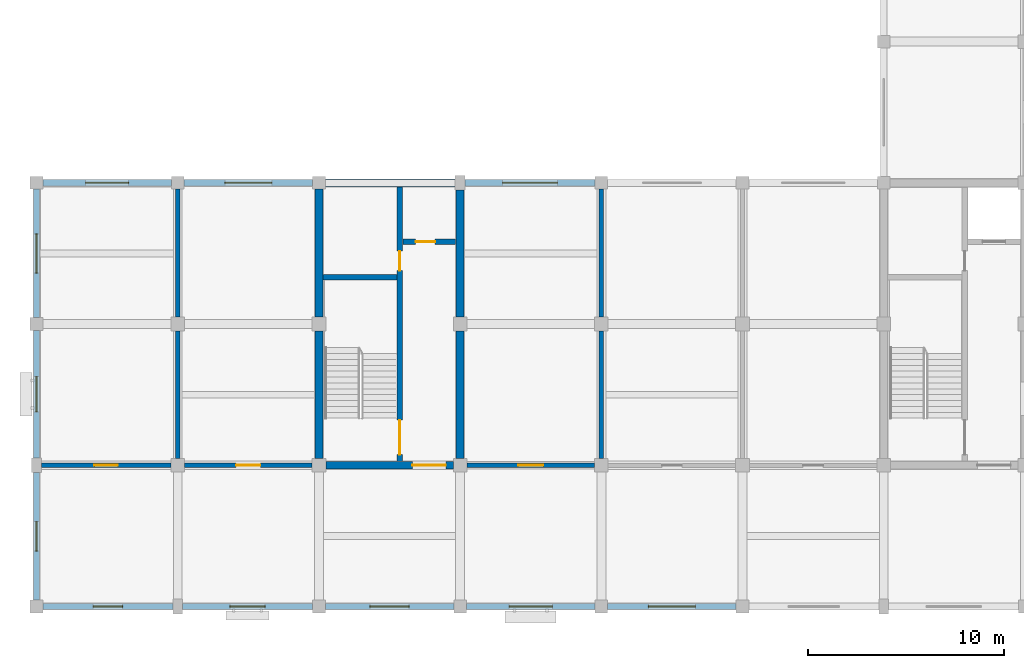
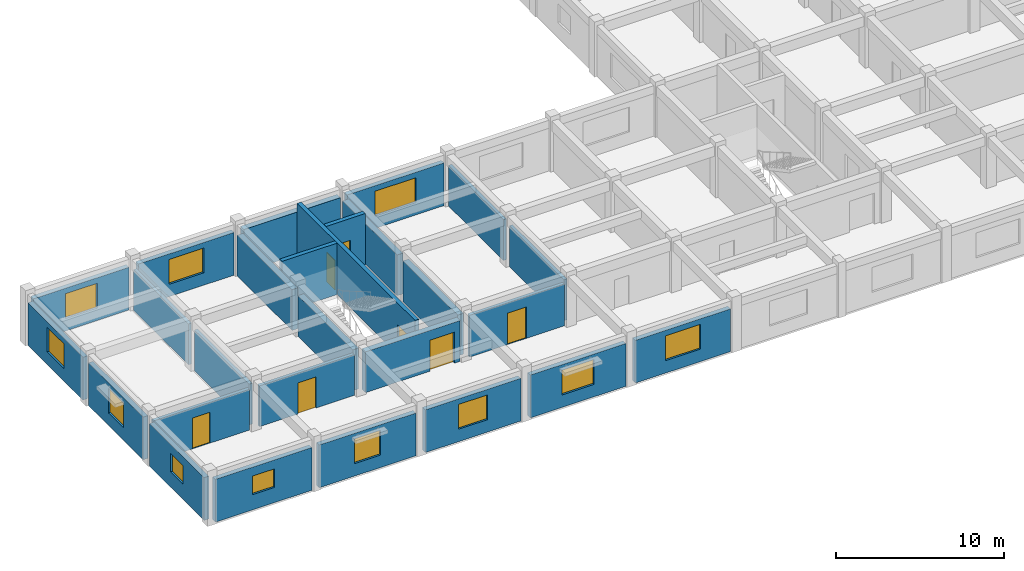
# One storey, part 4 of 11: 27 walls, 11 windows, 7 doors, 18 openings.
"""IFC4 building model written with IfcOpenShell, lengths in metres."""

from ifc_helpers import new_model, si_unit, direction, frame, frame_2d, origin, place, context, subcontext, project, spatial, rectangle, extrude, material, layer, layer_set, type_object, element, fill, save


model = new_model("IFC4")

# Units and contexts
model_context = context("Model", 3, precision=1e-05, world=origin(), true_north=direction((0.0, 1.0)))
body_context = subcontext(model_context, "Body", "Model", "MODEL_VIEW")
ifc_project = project(units=[si_unit("LENGTHUNIT", "METRE"), si_unit("AREAUNIT", "SQUARE_METRE"), si_unit("VOLUMEUNIT", "CUBIC_METRE"), si_unit("PLANEANGLEUNIT", "RADIAN"), si_unit("MASSUNIT", "GRAM", prefix="KILO")], contexts=[model_context])

# Site, building, storey
site_placement = place(None, origin())
site = spatial("IfcSite", under=ifc_project, at=site_placement, CompositionType="ELEMENT")
building_placement = place(site_placement, origin())
building = spatial("IfcBuilding", under=site, at=building_placement, Name="Cendaluz Park School", CompositionType="ELEMENT")
storey_placement = place(building_placement, frame((0.0, 0.0, 26.60009765625)))
storey = spatial("IfcBuildingStorey", under=building, at=storey_placement, Name="L06", CompositionType="ELEMENT", Elevation=26.60009765625)

# Wall, opening, window
ifc_material_1 = material(Name="Concrete C40/50 precast", Category="concrete")
ifc_layer_1 = layer(ifc_material_1, 0.320068359375)
ifc_layer_set_1 = layer_set([ifc_layer_1], Name="Concrete C40/50 precast")
wall_type_1 = type_object("IfcWallType", Name="W-EX32", PredefinedType="SOLIDWALL", material=ifc_layer_set_1)
wall_1_placement = place(storey_placement, frame((21.925048828125, 7.199951171875, 0.0), z_axis=(0.0, 0.0, 1.0), x_axis=(1.0, 0.0, 0.0)))
wall_1 = element("IfcWall", 1, at=wall_1_placement, inside=storey, type_object=wall_type_1, Name="WL-FG-AA0", PredefinedType="SOLIDWALL", context=body_context, shape_type="SweptSolid", body=[
    extrude(rectangle(XDim=6.625, YDim=0.320068359375, at=frame_2d((3.3125, 0.0))), origin(), (0.0, 0.0, 1.0), 3.099853515625),
])
opening_1_placement = place(wall_1_placement, frame((2.5625, 0.0, 1.10009765625)))
opening_1 = element("IfcOpeningElement", 2, at=opening_1_placement, cuts=wall_1, Name="Opening WN-20", PredefinedType="OPENING", context=body_context, shape_type="SweptSolid", body=[
    extrude(rectangle(XDim=1.5, YDim=1.35009765625, at=frame_2d((0.75, 0.675048828125))), frame((0.0, 0.172119140625, 0.0), z_axis=(0.0, -1.0, 0.0), x_axis=(1.0, 0.0, 0.0)), (0.0, 0.0, 1.0), 0.343994140625),
])
ifc_material_2 = material(Name="Tempered Low-E Double Glazing", Category="glass")
window_type_1 = type_object("IfcWindowType", Name="WN-20", PartitioningType="SINGLE_PANEL", PredefinedType="WINDOW", material=ifc_material_2)
window_1_placement = place(opening_1_placement, origin())
window_1 = element("IfcWindow", 3, at=window_1_placement, inside=storey, type_object=window_type_1, Name="WN-L06-001", OverallHeight=1.35009765625, OverallWidth=1.5, PartitioningType="SINGLE_PANEL", PredefinedType="WINDOW", context=body_context, shape_type="SweptSolid", body=[
    extrude(rectangle(XDim=1.5, YDim=1.35009765625, at=frame_2d((0.75, 0.675048828125))), frame((0.0, 0.030029296875, 0.0), z_axis=(0.0, -1.0, 0.0), x_axis=(1.0, 0.0, 0.0)), (0.0, 0.0, 1.0), 0.06005859375),
])
fill(opening_1, window_1)

wall_2_placement = place(storey_placement, frame((21.60009765625, 7.52490234375, 0.0), z_axis=(0.0, 0.0, 1.0), x_axis=(0.0, 1.0, 0.0)))
wall_2 = element("IfcWall", 4, at=wall_2_placement, inside=storey, type_object=wall_type_1, Name="WL-FG-AA1", PredefinedType="SOLIDWALL", context=body_context, shape_type="SweptSolid", body=[
    extrude(rectangle(XDim=6.5, YDim=0.320068359375, at=frame_2d((3.25, 0.0))), origin(), (0.0, 0.0, 1.0), 3.099853515625),
])
opening_2_placement = place(wall_2_placement, frame((2.5, 0.0, 1.10009765625)))
opening_2 = element("IfcOpeningElement", 5, at=opening_2_placement, cuts=wall_2, Name="Opening WN-20", PredefinedType="OPENING", context=body_context, shape_type="SweptSolid", body=[
    extrude(rectangle(XDim=1.5, YDim=1.35009765625, at=frame_2d((0.75, 0.675048828125))), frame((0.0, 0.172119140625, 0.0), z_axis=(0.0, -1.0, 0.0), x_axis=(1.0, 0.0, 0.0)), (0.0, 0.0, 1.0), 0.343994140625),
])
window_2_placement = place(opening_2_placement, origin())
window_2 = element("IfcWindow", 6, at=window_2_placement, inside=storey, type_object=window_type_1, Name="WN-L06-002", OverallHeight=1.35009765625, OverallWidth=1.5, PartitioningType="SINGLE_PANEL", PredefinedType="WINDOW", context=body_context, shape_type="SweptSolid", body=[
    extrude(rectangle(XDim=1.5, YDim=1.35009765625, at=frame_2d((0.75, 0.675048828125))), frame((0.0, 0.030029296875, 0.0), z_axis=(0.0, -1.0, 0.0), x_axis=(1.0, 0.0, 0.0)), (0.0, 0.0, 1.0), 0.06005859375),
])
fill(opening_2, window_2)

wall_3_placement = place(storey_placement, frame((21.60009765625, 14.77490234375, 0.0), z_axis=(0.0, 0.0, 1.0), x_axis=(0.0, 1.0, 0.0)))
wall_3 = element("IfcWall", 7, at=wall_3_placement, inside=storey, type_object=wall_type_1, Name="WL-FG-AA2", PredefinedType="SOLIDWALL", context=body_context, shape_type="SweptSolid", body=[
    extrude(rectangle(XDim=6.5, YDim=0.320068359375, at=frame_2d((3.25, 0.0))), origin(), (0.0, 0.0, 1.0), 3.099853515625),
])
opening_3_placement = place(wall_3_placement, frame((2.35009765625, 0.0, 0.89990234375)))
opening_3 = element("IfcOpeningElement", 8, at=opening_3_placement, cuts=wall_3, Name="Opening WN-01", PredefinedType="OPENING", context=body_context, shape_type="SweptSolid", body=[
    extrude(rectangle(XDim=1.800048828125, YDim=1.800048828125, at=frame_2d((0.89990234375, 0.89990234375))), frame((0.0, 0.172119140625, 0.0), z_axis=(0.0, -1.0, 0.0), x_axis=(1.0, 0.0, 0.0)), (0.0, 0.0, 1.0), 0.343994140625),
])
window_type_2 = type_object("IfcWindowType", Name="WN-01", PartitioningType="SINGLE_PANEL", PredefinedType="WINDOW", material=ifc_material_2)
window_3_placement = place(opening_3_placement, origin())
window_3 = element("IfcWindow", 9, at=window_3_placement, inside=storey, type_object=window_type_2, Name="WN-L06-003", OverallHeight=1.800048828125, OverallWidth=1.800048828125, PartitioningType="SINGLE_PANEL", PredefinedType="WINDOW", context=body_context, shape_type="SweptSolid", body=[
    extrude(rectangle(XDim=1.800048828125, YDim=1.800048828125, at=frame_2d((0.89990234375, 0.89990234375))), frame((0.0, 0.030029296875, 0.0), z_axis=(0.0, -1.0, 0.0), x_axis=(1.0, 0.0, 0.0)), (0.0, 0.0, 1.0), 0.06005859375),
])
fill(opening_3, window_3)

wall_4_placement = place(storey_placement, frame((21.925048828125, 28.800048828125, 0.0), z_axis=(0.0, 0.0, 1.0), x_axis=(1.0, 0.0, 0.0)))
wall_4 = element("IfcWall", 10, at=wall_4_placement, inside=storey, type_object=wall_type_1, Name="WL-FG-AA3", PredefinedType="SOLIDWALL", context=body_context, shape_type="SweptSolid", body=[
    extrude(rectangle(XDim=6.550048828125, YDim=0.320068359375, at=frame_2d((3.27490234375, 0.0))), origin(), (0.0, 0.0, 1.0), 3.099853515625),
])
opening_4_placement = place(wall_4_placement, frame((2.175048828125, 0.0, 0.89990234375)))
opening_4 = element("IfcOpeningElement", 11, at=opening_4_placement, cuts=wall_4, Name="Opening WN-03", PredefinedType="OPENING", context=body_context, shape_type="SweptSolid", body=[
    extrude(rectangle(XDim=2.199951171875, YDim=1.800048828125, at=frame_2d((1.10009765625, 0.89990234375))), frame((0.0, 0.172119140625, 0.0), z_axis=(0.0, -1.0, 0.0), x_axis=(1.0, 0.0, 0.0)), (0.0, 0.0, 1.0), 0.343994140625),
])
window_type_3 = type_object("IfcWindowType", Name="WN-03", PartitioningType="SINGLE_PANEL", PredefinedType="WINDOW", material=ifc_material_2)
window_4_placement = place(opening_4_placement, origin())
window_4 = element("IfcWindow", 12, at=window_4_placement, inside=storey, type_object=window_type_3, Name="WN-L06-004", OverallHeight=1.800048828125, OverallWidth=2.199951171875, PartitioningType="SINGLE_PANEL", PredefinedType="WINDOW", context=body_context, shape_type="SweptSolid", body=[
    extrude(rectangle(XDim=2.199951171875, YDim=1.800048828125, at=frame_2d((1.10009765625, 0.89990234375))), frame((0.0, 0.030029296875, 0.0), z_axis=(0.0, -1.0, 0.0), x_axis=(1.0, 0.0, 0.0)), (0.0, 0.0, 1.0), 0.06005859375),
])
fill(opening_4, window_4)

wall_5_placement = place(storey_placement, frame((21.60009765625, 21.925048828125, 0.0), z_axis=(0.0, 0.0, 1.0), x_axis=(0.0, 1.0, 0.0)))
wall_5 = element("IfcWall", 13, at=wall_5_placement, inside=storey, type_object=wall_type_1, Name="WL-FG-AA4", PredefinedType="SOLIDWALL", context=body_context, shape_type="SweptSolid", body=[
    extrude(rectangle(XDim=6.550048828125, YDim=0.320068359375, at=frame_2d((3.27490234375, 0.0))), origin(), (0.0, 0.0, 1.0), 3.099853515625),
])
opening_5_placement = place(wall_5_placement, frame((2.27490234375, 0.0, 0.89990234375)))
opening_5 = element("IfcOpeningElement", 14, at=opening_5_placement, cuts=wall_5, Name="Opening WN-02", PredefinedType="OPENING", context=body_context, shape_type="SweptSolid", body=[
    extrude(rectangle(XDim=2.0, YDim=1.800048828125, at=frame_2d((1.0, 0.89990234375))), frame((0.0, 0.172119140625, 0.0), z_axis=(0.0, -1.0, 0.0), x_axis=(1.0, 0.0, 0.0)), (0.0, 0.0, 1.0), 0.343994140625),
])
window_type_4 = type_object("IfcWindowType", Name="WN-02", PartitioningType="SINGLE_PANEL", PredefinedType="WINDOW", material=ifc_material_2)
window_5_placement = place(opening_5_placement, origin())
window_5 = element("IfcWindow", 15, at=window_5_placement, inside=storey, type_object=window_type_4, Name="WN-L06-005", OverallHeight=1.800048828125, OverallWidth=2.0, PartitioningType="SINGLE_PANEL", PredefinedType="WINDOW", context=body_context, shape_type="SweptSolid", body=[
    extrude(rectangle(XDim=2.0, YDim=1.800048828125, at=frame_2d((1.0, 0.89990234375))), frame((0.0, 0.030029296875, 0.0), z_axis=(0.0, -1.0, 0.0), x_axis=(1.0, 0.0, 0.0)), (0.0, 0.0, 1.0), 0.06005859375),
])
fill(opening_5, window_5)

wall_6_placement = place(storey_placement, frame((29.050048828125, 7.199951171875, 0.0), z_axis=(0.0, 0.0, 1.0), x_axis=(1.0, 0.0, 0.0)))
wall_6 = element("IfcWall", 16, at=wall_6_placement, inside=storey, type_object=wall_type_1, Name="WL-FG-AA5", PredefinedType="SOLIDWALL", context=body_context, shape_type="SweptSolid", body=[
    extrude(rectangle(XDim=6.625, YDim=0.320068359375, at=frame_2d((3.3125, 0.0))), origin(), (0.0, 0.0, 1.0), 3.099853515625),
])
opening_6_placement = place(wall_6_placement, frame((2.41259765625, 0.0, 0.89990234375)))
opening_6 = element("IfcOpeningElement", 17, at=opening_6_placement, cuts=wall_6, Name="Opening WN-01", PredefinedType="OPENING", context=body_context, shape_type="SweptSolid", body=[
    extrude(rectangle(XDim=1.800048828125, YDim=1.800048828125, at=frame_2d((0.89990234375, 0.89990234375))), frame((0.0, 0.172119140625, 0.0), z_axis=(0.0, -1.0, 0.0), x_axis=(1.0, 0.0, 0.0)), (0.0, 0.0, 1.0), 0.343994140625),
])
window_6_placement = place(opening_6_placement, origin())
window_6 = element("IfcWindow", 18, at=window_6_placement, inside=storey, type_object=window_type_2, Name="WN-L06-006", OverallHeight=1.800048828125, OverallWidth=1.800048828125, PartitioningType="SINGLE_PANEL", PredefinedType="WINDOW", context=body_context, shape_type="SweptSolid", body=[
    extrude(rectangle(XDim=1.800048828125, YDim=1.800048828125, at=frame_2d((0.89990234375, 0.89990234375))), frame((0.0, 0.030029296875, 0.0), z_axis=(0.0, -1.0, 0.0), x_axis=(1.0, 0.0, 0.0)), (0.0, 0.0, 1.0), 0.06005859375),
])
fill(opening_6, window_6)

wall_7_placement = place(storey_placement, frame((29.125, 28.800048828125, 0.0), z_axis=(0.0, 0.0, 1.0), x_axis=(1.0, 0.0, 0.0)))
wall_7 = element("IfcWall", 19, at=wall_7_placement, inside=storey, type_object=wall_type_1, Name="WL-FG-AA6", PredefinedType="SOLIDWALL", context=body_context, shape_type="SweptSolid", body=[
    extrude(rectangle(XDim=6.550048828125, YDim=0.320068359375, at=frame_2d((3.27490234375, 0.0))), origin(), (0.0, 0.0, 1.0), 3.099853515625),
])
opening_7_placement = place(wall_7_placement, frame((2.074951171875, 0.0, 0.89990234375)))
opening_7 = element("IfcOpeningElement", 20, at=opening_7_placement, cuts=wall_7, Name="Opening WN-04", PredefinedType="OPENING", context=body_context, shape_type="SweptSolid", body=[
    extrude(rectangle(XDim=2.39990234375, YDim=1.800048828125, at=frame_2d((1.199951171875, 0.89990234375))), frame((0.0, 0.172119140625, 0.0), z_axis=(0.0, -1.0, 0.0), x_axis=(1.0, 0.0, 0.0)), (0.0, 0.0, 1.0), 0.343994140625),
])
window_type_5 = type_object("IfcWindowType", Name="WN-04", PartitioningType="SINGLE_PANEL", PredefinedType="WINDOW", material=ifc_material_2)
window_7_placement = place(opening_7_placement, origin())
window_7 = element("IfcWindow", 21, at=window_7_placement, inside=storey, type_object=window_type_5, Name="WN-L06-007", OverallHeight=1.800048828125, OverallWidth=2.39990234375, PartitioningType="SINGLE_PANEL", PredefinedType="WINDOW", context=body_context, shape_type="SweptSolid", body=[
    extrude(rectangle(XDim=2.39990234375, YDim=1.800048828125, at=frame_2d((1.199951171875, 0.89990234375))), frame((0.0, 0.030029296875, 0.0), z_axis=(0.0, -1.0, 0.0), x_axis=(1.0, 0.0, 0.0)), (0.0, 0.0, 1.0), 0.06005859375),
])
fill(opening_7, window_7)

wall_8_placement = place(storey_placement, frame((36.324951171875, 7.199951171875, 0.0), z_axis=(0.0, 0.0, 1.0), x_axis=(1.0, 0.0, 0.0)))
wall_8 = element("IfcWall", 22, at=wall_8_placement, inside=storey, type_object=wall_type_1, Name="WL-FG-AA7", PredefinedType="SOLIDWALL", context=body_context, shape_type="SweptSolid", body=[
    extrude(rectangle(XDim=6.550048828125, YDim=0.320068359375, at=frame_2d((3.27490234375, 0.0))), origin(), (0.0, 0.0, 1.0), 3.099853515625),
])
opening_8_placement = place(wall_8_placement, frame((2.27490234375, 0.0, 0.89990234375)))
opening_8 = element("IfcOpeningElement", 23, at=opening_8_placement, cuts=wall_8, Name="Opening WN-02", PredefinedType="OPENING", context=body_context, shape_type="SweptSolid", body=[
    extrude(rectangle(XDim=2.0, YDim=1.800048828125, at=frame_2d((1.0, 0.89990234375))), frame((0.0, 0.172119140625, 0.0), z_axis=(0.0, -1.0, 0.0), x_axis=(1.0, 0.0, 0.0)), (0.0, 0.0, 1.0), 0.343994140625),
])
window_8_placement = place(opening_8_placement, origin())
window_8 = element("IfcWindow", 24, at=window_8_placement, inside=storey, type_object=window_type_4, Name="WN-L06-008", OverallHeight=1.800048828125, OverallWidth=2.0, PartitioningType="SINGLE_PANEL", PredefinedType="WINDOW", context=body_context, shape_type="SweptSolid", body=[
    extrude(rectangle(XDim=2.0, YDim=1.800048828125, at=frame_2d((1.0, 0.89990234375))), frame((0.0, 0.030029296875, 0.0), z_axis=(0.0, -1.0, 0.0), x_axis=(1.0, 0.0, 0.0)), (0.0, 0.0, 1.0), 0.06005859375),
])
fill(opening_8, window_8)

wall_9_placement = place(storey_placement, frame((43.52490234375, 7.199951171875, 0.0), z_axis=(0.0, 0.0, 1.0), x_axis=(1.0, 0.0, 0.0)))
wall_9 = element("IfcWall", 25, at=wall_9_placement, inside=storey, type_object=wall_type_1, Name="WL-FG-AA8", PredefinedType="SOLIDWALL", context=body_context, shape_type="SweptSolid", body=[
    extrude(rectangle(XDim=6.550048828125, YDim=0.320068359375, at=frame_2d((3.27490234375, 0.0))), origin(), (0.0, 0.0, 1.0), 3.099853515625),
])
opening_9_placement = place(wall_9_placement, frame((2.175048828125, 0.0, 0.89990234375)))
opening_9 = element("IfcOpeningElement", 26, at=opening_9_placement, cuts=wall_9, Name="Opening WN-03", PredefinedType="OPENING", context=body_context, shape_type="SweptSolid", body=[
    extrude(rectangle(XDim=2.199951171875, YDim=1.800048828125, at=frame_2d((1.10009765625, 0.89990234375))), frame((0.0, 0.172119140625, 0.0), z_axis=(0.0, -1.0, 0.0), x_axis=(1.0, 0.0, 0.0)), (0.0, 0.0, 1.0), 0.343994140625),
])
window_9_placement = place(opening_9_placement, origin())
window_9 = element("IfcWindow", 27, at=window_9_placement, inside=storey, type_object=window_type_3, Name="WN-L06-009", OverallHeight=1.800048828125, OverallWidth=2.199951171875, PartitioningType="SINGLE_PANEL", PredefinedType="WINDOW", context=body_context, shape_type="SweptSolid", body=[
    extrude(rectangle(XDim=2.199951171875, YDim=1.800048828125, at=frame_2d((1.10009765625, 0.89990234375))), frame((0.0, 0.030029296875, 0.0), z_axis=(0.0, -1.0, 0.0), x_axis=(1.0, 0.0, 0.0)), (0.0, 0.0, 1.0), 0.06005859375),
])
fill(opening_9, window_9)

wall_10_placement = place(storey_placement, frame((43.449951171875, 28.800048828125, 0.0), z_axis=(0.0, 0.0, 1.0), x_axis=(1.0, 0.0, 0.0)))
wall_10 = element("IfcWall", 28, at=wall_10_placement, inside=storey, type_object=wall_type_1, Name="WL-FG-AA9", PredefinedType="SOLIDWALL", context=body_context, shape_type="SweptSolid", body=[
    extrude(rectangle(XDim=6.625, YDim=0.320068359375, at=frame_2d((3.3125, 0.0))), origin(), (0.0, 0.0, 1.0), 3.099853515625),
])
opening_10_placement = place(wall_10_placement, frame((1.91259765625, 0.0, 0.89990234375)))
opening_10 = element("IfcOpeningElement", 29, at=opening_10_placement, cuts=wall_10, Name="Opening WN-06", PredefinedType="OPENING", context=body_context, shape_type="SweptSolid", body=[
    extrude(rectangle(XDim=2.800048828125, YDim=1.800048828125, at=frame_2d((1.39990234375, 0.89990234375))), frame((0.0, 0.172119140625, 0.0), z_axis=(0.0, -1.0, 0.0), x_axis=(1.0, 0.0, 0.0)), (0.0, 0.0, 1.0), 0.343994140625),
])
window_type_6 = type_object("IfcWindowType", Name="WN-06", PartitioningType="SINGLE_PANEL", PredefinedType="WINDOW", material=ifc_material_2)
window_10_placement = place(opening_10_placement, origin())
window_10 = element("IfcWindow", 30, at=window_10_placement, inside=storey, type_object=window_type_6, Name="WN-L06-010", OverallHeight=1.800048828125, OverallWidth=2.800048828125, PartitioningType="SINGLE_PANEL", PredefinedType="WINDOW", context=body_context, shape_type="SweptSolid", body=[
    extrude(rectangle(XDim=2.800048828125, YDim=1.800048828125, at=frame_2d((1.39990234375, 0.89990234375))), frame((0.0, 0.030029296875, 0.0), z_axis=(0.0, -1.0, 0.0), x_axis=(1.0, 0.0, 0.0)), (0.0, 0.0, 1.0), 0.06005859375),
])
fill(opening_10, window_10)

wall_11_placement = place(storey_placement, frame((50.72509765625, 7.199951171875, 0.0), z_axis=(0.0, 0.0, 1.0), x_axis=(1.0, 0.0, 0.0)))
wall_11 = element("IfcWall", 31, at=wall_11_placement, inside=storey, type_object=wall_type_1, Name="WL-FG-AB0", PredefinedType="SOLIDWALL", context=body_context, shape_type="SweptSolid", body=[
    extrude(rectangle(XDim=6.5498046875, YDim=0.320068359375, at=frame_2d((3.27490234375, 0.0))), origin(), (0.0, 0.0, 1.0), 3.099853515625),
])
opening_11_placement = place(wall_11_placement, frame((2.074951171875, 0.0, 0.89990234375)))
opening_11 = element("IfcOpeningElement", 32, at=opening_11_placement, cuts=wall_11, Name="Opening WN-04", PredefinedType="OPENING", context=body_context, shape_type="SweptSolid", body=[
    extrude(rectangle(XDim=2.39990234375, YDim=1.800048828125, at=frame_2d((1.199951171875, 0.89990234375))), frame((0.0, 0.172119140625, 0.0), z_axis=(0.0, -1.0, 0.0), x_axis=(1.0, 0.0, 0.0)), (0.0, 0.0, 1.0), 0.343994140625),
])
window_11_placement = place(opening_11_placement, origin())
window_11 = element("IfcWindow", 33, at=window_11_placement, inside=storey, type_object=window_type_5, Name="WN-L06-011", OverallHeight=1.800048828125, OverallWidth=2.39990234375, PartitioningType="SINGLE_PANEL", PredefinedType="WINDOW", context=body_context, shape_type="SweptSolid", body=[
    extrude(rectangle(XDim=2.39990234375, YDim=1.800048828125, at=frame_2d((1.199951171875, 0.89990234375))), frame((0.0, 0.030029296875, 0.0), z_axis=(0.0, -1.0, 0.0), x_axis=(1.0, 0.0, 0.0)), (0.0, 0.0, 1.0), 0.06005859375),
])
fill(opening_11, window_11)

# Wall, openings, doors
ifc_material_3 = material(Name="Concrete C40/50", Category="concrete")
ifc_layer_2 = layer(ifc_material_3, 0.280029296875)
ifc_layer_set_2 = layer_set([ifc_layer_2], Name="Concrete C40/50")
wall_type_2 = type_object("IfcWallType", Name="W-FW28", PredefinedType="SHEAR", material=ifc_layer_set_2)
wall_12_placement = place(storey_placement, frame((40.1201171875, 14.60009765625, 0.0), z_axis=(0.0, 0.0, 1.0), x_axis=(0.0, 1.0, 0.0)))
wall_12 = element("IfcWall", 34, at=wall_12_placement, inside=storey, type_object=wall_type_2, Name="WL-FG-BM8", PredefinedType="SHEAR", context=body_context, shape_type="SweptSolid", body=[
    extrude(rectangle(XDim=14.0, YDim=0.280029296875, at=frame_2d((7.0, 0.0))), origin(), (0.0, 0.0, 1.0), 3.72998046875),
])
opening_12_placement = place(wall_12_placement, frame((0.35009765625, 0.0, 0.0)))
opening_12 = element("IfcOpeningElement", 35, at=opening_12_placement, cuts=wall_12, Name="Opening DST-03", PredefinedType="OPENING", context=body_context, shape_type="SweptSolid", body=[
    extrude(rectangle(XDim=1.75, YDim=2.14990234375, at=frame_2d((0.875, 1.074951171875))), frame((0.0, 0.152099609375, 0.0), z_axis=(0.0, -1.0, 0.0), x_axis=(1.0, 0.0, 0.0)), (0.0, 0.0, 1.0), 0.303955078125),
])
opening_13_placement = place(wall_12_placement, frame((9.719970703125, 0.0, 0.0)))
opening_13 = element("IfcOpeningElement", 36, at=opening_13_placement, cuts=wall_12, Name="Opening DFC-01", PredefinedType="OPENING", context=body_context, shape_type="SweptSolid", body=[
    extrude(rectangle(XDim=1.0, YDim=2.14990234375, at=frame_2d((0.5, 1.074951171875))), frame((0.0, 0.152099609375, 0.0), z_axis=(0.0, -1.0, 0.0), x_axis=(1.0, 0.0, 0.0)), (0.0, 0.0, 1.0), 0.303955078125),
])
ifc_material_4 = material(Name="Solid Core Hardwood", Category="wood")
door_type_1 = type_object("IfcDoorType", Name="DFC-01", OperationType="NOTDEFINED", PredefinedType="DOOR", material=ifc_material_4)
door_1_placement = place(opening_13_placement, origin())
door_1 = element("IfcDoor", 37, at=door_1_placement, inside=storey, type_object=door_type_1, Name="D-L06-021", OperationType="SINGLE_SWING_LEFT", OverallHeight=2.14990234375, OverallWidth=1.0, PredefinedType="DOOR", context=body_context, shape_type="SweptSolid", body=[
    extrude(rectangle(XDim=1.0, YDim=2.14990234375, at=frame_2d((0.5, 1.074951171875))), frame((0.0, 0.02490234375, 0.0), z_axis=(0.0, -1.0, 0.0), x_axis=(1.0, 0.0, 0.0)), (0.0, 0.0, 1.0), 0.050048828125),
])
fill(opening_13, door_1)
door_type_2 = type_object("IfcDoorType", Name="DST-03", OperationType="DOUBLE_DOOR_SINGLE_SWING", PredefinedType="DOOR", material=ifc_material_4)
door_2_placement = place(opening_12_placement, origin())
door_2 = element("IfcDoor", 38, at=door_2_placement, inside=storey, type_object=door_type_2, Name="D-L06-020", OperationType="DOUBLE_DOOR_SINGLE_SWING", OverallHeight=2.14990234375, OverallWidth=1.75, PredefinedType="DOOR", context=body_context, shape_type="SweptSolid", body=[
    extrude(rectangle(XDim=1.75, YDim=2.14990234375, at=frame_2d((0.875, 1.074951171875))), frame((0.0, 0.02490234375, 0.0), z_axis=(0.0, -1.0, 0.0), x_axis=(1.0, 0.0, 0.0)), (0.0, 0.0, 1.0), 0.050048828125),
])
fill(opening_12, door_2)

# Wall
wall_13_placement = place(storey_placement, frame((36.199951171875, 23.97998046875, 0.0), z_axis=(0.0, 0.0, 1.0), x_axis=(1.0, 0.0, 0.0)))
element("IfcWall", 39, at=wall_13_placement, inside=storey, type_object=wall_type_2, Name="WL-FG-BM9", PredefinedType="SHEAR", context=body_context, shape_type="SweptSolid", body=[
    extrude(rectangle(XDim=3.780029296875, YDim=0.280029296875, at=frame_2d((1.89013671875, 0.0))), origin(), (0.0, 0.0, 1.0), 3.72998046875),
])

# Wall, opening, door
wall_14_placement = place(storey_placement, frame((40.280029296875, 25.800048828125, 0.0), z_axis=(0.0, 0.0, 1.0), x_axis=(1.0, 0.0, 0.0)))
wall_14 = element("IfcWall", 40, at=wall_14_placement, inside=storey, type_object=wall_type_2, Name="WL-FG-BN0", PredefinedType="SHEAR", context=body_context, shape_type="SweptSolid", body=[
    extrude(rectangle(XDim=2.679931640625, YDim=0.280029296875, at=frame_2d((1.33984375, 0.0))), origin(), (0.0, 0.0, 1.0), 3.72998046875),
])
opening_14_placement = place(wall_14_placement, frame((0.64990234375, 0.0, 0.0)))
opening_14 = element("IfcOpeningElement", 41, at=opening_14_placement, cuts=wall_14, Name="Opening DFC-01", PredefinedType="OPENING", context=body_context, shape_type="SweptSolid", body=[
    extrude(rectangle(XDim=1.0, YDim=2.14990234375, at=frame_2d((0.5, 1.074951171875))), frame((0.0, 0.152099609375, 0.0), z_axis=(0.0, -1.0, 0.0), x_axis=(1.0, 0.0, 0.0)), (0.0, 0.0, 1.0), 0.303955078125),
])
door_3_placement = place(opening_14_placement, frame((1.0, 0.0, 0.0), z_axis=(0.0, 0.0, 1.0), x_axis=(-1.0, 0.0, 0.0)))
door_3 = element("IfcDoor", 42, at=door_3_placement, inside=storey, type_object=door_type_1, Name="D-L06-022", OperationType="SINGLE_SWING_RIGHT", OverallHeight=2.14990234375, OverallWidth=1.0, PredefinedType="DOOR", context=body_context, shape_type="SweptSolid", body=[
    extrude(rectangle(XDim=1.0, YDim=2.14990234375, at=frame_2d((0.5, 1.074951171875))), frame((0.0, 0.02490234375, 0.0), z_axis=(0.0, -1.0, 0.0), x_axis=(1.0, 0.0, 0.0)), (0.0, 0.0, 1.0), 0.050048828125),
])
fill(opening_14, door_3)

ifc_material_5 = material(Name="Gypsum Plasterboard on Cold-Formed Stud", Category="gypsum")
ifc_layer_3 = layer(ifc_material_5, 0.219970703125)
ifc_layer_set_3 = layer_set([ifc_layer_3], Name="Gypsum Plasterboard on Cold-Formed Stud")
wall_type_3 = type_object("IfcWallType", Name="W-LB22", PredefinedType="PARTITIONING", material=ifc_layer_set_3)
wall_15_placement = place(storey_placement, frame((21.85009765625, 14.39990234375, 0.0), z_axis=(0.0, 0.0, 1.0), x_axis=(1.0, 0.0, 0.0)))
wall_15 = element("IfcWall", 43, at=wall_15_placement, inside=storey, type_object=wall_type_3, Name="WL-FG-BO0", PredefinedType="PARTITIONING", context=body_context, shape_type="SweptSolid", body=[
    extrude(rectangle(XDim=6.599853515625, YDim=0.219970703125, at=frame_2d((3.2998046875, 0.0))), origin(), (0.0, 0.0, 1.0), 2.9599609375),
])
opening_15_placement = place(wall_15_placement, frame((2.699951171875, 0.0, 0.0)))
opening_15 = element("IfcOpeningElement", 44, at=opening_15_placement, cuts=wall_15, Name="Opening DCL-08", PredefinedType="OPENING", context=body_context, shape_type="SweptSolid", body=[
    extrude(rectangle(XDim=1.199951171875, YDim=2.239990234375, at=frame_2d((0.60009765625, 1.1201171875))), frame((0.0, 0.1220703125, 0.0), z_axis=(0.0, -1.0, 0.0), x_axis=(1.0, 0.0, 0.0)), (0.0, 0.0, 1.0), 0.243896484375),
])
door_type_3 = type_object("IfcDoorType", Name="DCL-08", OperationType="NOTDEFINED", PredefinedType="DOOR", material=ifc_material_4)
door_4_placement = place(opening_15_placement, frame((1.199951171875, 0.0, 0.0), z_axis=(0.0, 0.0, 1.0), x_axis=(-1.0, 0.0, 0.0)))
door_4 = element("IfcDoor", 45, at=door_4_placement, inside=storey, type_object=door_type_3, Name="D-L06-027", OperationType="SINGLE_SWING_LEFT", OverallHeight=2.239990234375, OverallWidth=1.199951171875, PredefinedType="DOOR", context=body_context, shape_type="SweptSolid", body=[
    extrude(rectangle(XDim=1.199951171875, YDim=2.239990234375, at=frame_2d((0.60009765625, 1.1201171875))), frame((0.0, 0.02490234375, 0.0), z_axis=(0.0, -1.0, 0.0), x_axis=(1.0, 0.0, 0.0)), (0.0, 0.0, 1.0), 0.050048828125),
])
fill(opening_15, door_4)

# Walls
wall_16_placement = place(storey_placement, frame((28.800048828125, 14.75, 0.0), z_axis=(0.0, 0.0, 1.0), x_axis=(0.0, 1.0, 0.0)))
element("IfcWall", 46, at=wall_16_placement, inside=storey, type_object=wall_type_3, Name="WL-FG-BO1", PredefinedType="PARTITIONING", context=body_context, shape_type="SweptSolid", body=[
    extrude(rectangle(XDim=6.5, YDim=0.219970703125, at=frame_2d((3.25, 0.0))), origin(), (0.0, 0.0, 1.0), 2.9599609375),
])
wall_17_placement = place(storey_placement, frame((28.800048828125, 21.949951171875, 0.0), z_axis=(0.0, 0.0, 1.0), x_axis=(0.0, 1.0, 0.0)))
element("IfcWall", 47, at=wall_17_placement, inside=storey, type_object=wall_type_3, Name="WL-FG-BO2", PredefinedType="PARTITIONING", context=body_context, shape_type="SweptSolid", body=[
    extrude(rectangle(XDim=6.525146484375, YDim=0.219970703125, at=frame_2d((3.2626953125, 0.0))), origin(), (0.0, 0.0, 1.0), 2.9599609375),
])

# Wall, opening, door
wall_18_placement = place(storey_placement, frame((29.14990234375, 14.39990234375, 0.0), z_axis=(0.0, 0.0, 1.0), x_axis=(1.0, 0.0, 0.0)))
wall_18 = element("IfcWall", 48, at=wall_18_placement, inside=storey, type_object=wall_type_3, Name="WL-FG-BO3", PredefinedType="PARTITIONING", context=body_context, shape_type="SweptSolid", body=[
    extrude(rectangle(XDim=6.5, YDim=0.219970703125, at=frame_2d((3.25, 0.0))), origin(), (0.0, 0.0, 1.0), 2.9599609375),
])
opening_16_placement = place(wall_18_placement, frame((2.6298828125, 0.0, 0.0)))
opening_16 = element("IfcOpeningElement", 49, at=opening_16_placement, cuts=wall_18, Name="Opening DCL-09", PredefinedType="OPENING", context=body_context, shape_type="SweptSolid", body=[
    extrude(rectangle(XDim=1.239990234375, YDim=2.260009765625, at=frame_2d((0.6201171875, 1.1298828125))), frame((0.0, 0.1220703125, 0.0), z_axis=(0.0, -1.0, 0.0), x_axis=(1.0, 0.0, 0.0)), (0.0, 0.0, 1.0), 0.243896484375),
])
door_type_4 = type_object("IfcDoorType", Name="DCL-09", OperationType="NOTDEFINED", PredefinedType="DOOR", material=ifc_material_4)
door_5_placement = place(opening_16_placement, frame((1.239990234375, 0.0, 0.0), z_axis=(0.0, 0.0, 1.0), x_axis=(-1.0, 0.0, 0.0)))
door_5 = element("IfcDoor", 50, at=door_5_placement, inside=storey, type_object=door_type_4, Name="D-L06-028", OperationType="SINGLE_SWING_RIGHT", OverallHeight=2.260009765625, OverallWidth=1.239990234375, PredefinedType="DOOR", context=body_context, shape_type="SweptSolid", body=[
    extrude(rectangle(XDim=1.239990234375, YDim=2.260009765625, at=frame_2d((0.6201171875, 1.1298828125))), frame((0.0, 0.02490234375, 0.0), z_axis=(0.0, -1.0, 0.0), x_axis=(1.0, 0.0, 0.0)), (0.0, 0.0, 1.0), 0.050048828125),
])
fill(opening_16, door_5)

wall_19_placement = place(storey_placement, frame((43.550048828125, 14.39990234375, 0.0), z_axis=(0.0, 0.0, 1.0), x_axis=(1.0, 0.0, 0.0)))
wall_19 = element("IfcWall", 51, at=wall_19_placement, inside=storey, type_object=wall_type_3, Name="WL-FG-BO4", PredefinedType="PARTITIONING", context=body_context, shape_type="SweptSolid", body=[
    extrude(rectangle(XDim=6.5, YDim=0.219970703125, at=frame_2d((3.25, 0.0))), origin(), (0.0, 0.0, 1.0), 3.02978515625),
])
opening_17_placement = place(wall_19_placement, frame((2.610107421875, 0.0, 0.0)))
opening_17 = element("IfcOpeningElement", 52, at=opening_17_placement, cuts=wall_19, Name="Opening DCL-10", PredefinedType="OPENING", context=body_context, shape_type="SweptSolid", body=[
    extrude(rectangle(XDim=1.280029296875, YDim=2.280029296875, at=frame_2d((0.64013671875, 1.14013671875))), frame((0.0, 0.1220703125, 0.0), z_axis=(0.0, -1.0, 0.0), x_axis=(1.0, 0.0, 0.0)), (0.0, 0.0, 1.0), 0.243896484375),
])
door_type_5 = type_object("IfcDoorType", Name="DCL-10", OperationType="NOTDEFINED", PredefinedType="DOOR", material=ifc_material_4)
door_6_placement = place(opening_17_placement, frame((1.280029296875, 0.0, 0.0), z_axis=(0.0, 0.0, 1.0), x_axis=(-1.0, 0.0, 0.0)))
door_6 = element("IfcDoor", 53, at=door_6_placement, inside=storey, type_object=door_type_5, Name="D-L06-029", OperationType="SINGLE_SWING_LEFT", OverallHeight=2.280029296875, OverallWidth=1.280029296875, PredefinedType="DOOR", context=body_context, shape_type="SweptSolid", body=[
    extrude(rectangle(XDim=1.280029296875, YDim=2.280029296875, at=frame_2d((0.64013671875, 1.14013671875))), frame((0.0, 0.02490234375, 0.0), z_axis=(0.0, -1.0, 0.0), x_axis=(1.0, 0.0, 0.0)), (0.0, 0.0, 1.0), 0.050048828125),
])
fill(opening_17, door_6)

# Walls
wall_20_placement = place(storey_placement, frame((50.39990234375, 14.75, 0.0), z_axis=(0.0, 0.0, 1.0), x_axis=(0.0, 1.0, 0.0)))
element("IfcWall", 54, at=wall_20_placement, inside=storey, type_object=wall_type_3, Name="WL-FG-BO5", PredefinedType="PARTITIONING", context=body_context, shape_type="SweptSolid", body=[
    extrude(rectangle(XDim=6.5, YDim=0.219970703125, at=frame_2d((3.25, 0.0))), origin(), (0.0, 0.0, 1.0), 2.9599609375),
])
wall_21_placement = place(storey_placement, frame((50.39990234375, 21.949951171875, 0.0), z_axis=(0.0, 0.0, 1.0), x_axis=(0.0, 1.0, 0.0)))
element("IfcWall", 55, at=wall_21_placement, inside=storey, type_object=wall_type_3, Name="WL-FG-BO6", PredefinedType="PARTITIONING", context=body_context, shape_type="SweptSolid", body=[
    extrude(rectangle(XDim=6.525146484375, YDim=0.219970703125, at=frame_2d((3.2626953125, 0.0))), origin(), (0.0, 0.0, 1.0), 2.9599609375),
])
ifc_layer_4 = layer(ifc_material_3, 0.39990234375)
ifc_layer_set_4 = layer_set([ifc_layer_4], Name="Concrete C40/50")
wall_type_4 = type_object("IfcWallType", Name="W-SH40", PredefinedType="SHEAR", material=ifc_layer_set_4)
wall_22_placement = place(storey_placement, frame((36.0, 14.75, 0.0), z_axis=(0.0, 0.0, 1.0), x_axis=(0.0, 1.0, 0.0)))
element("IfcWall", 56, at=wall_22_placement, inside=storey, type_object=wall_type_4, Name="WL-FG-BM2", PredefinedType="SHEAR", context=body_context, shape_type="SweptSolid", body=[
    extrude(rectangle(XDim=6.5, YDim=0.39990234375, at=frame_2d((3.25, 0.0))), origin(), (0.0, 0.0, 1.0), 2.9599609375),
])
wall_23_placement = place(storey_placement, frame((36.0, 21.949951171875, 0.0), z_axis=(0.0, 0.0, 1.0), x_axis=(0.0, 1.0, 0.0)))
element("IfcWall", 57, at=wall_23_placement, inside=storey, type_object=wall_type_4, Name="WL-FG-BM3", PredefinedType="SHEAR", context=body_context, shape_type="SweptSolid", body=[
    extrude(rectangle(XDim=6.525146484375, YDim=0.39990234375, at=frame_2d((3.2626953125, 0.0))), origin(), (0.0, 0.0, 1.0), 2.9599609375),
])
wall_24_placement = place(storey_placement, frame((43.199951171875, 14.75, 0.0), z_axis=(0.0, 0.0, 1.0), x_axis=(0.0, 1.0, 0.0)))
element("IfcWall", 58, at=wall_24_placement, inside=storey, type_object=wall_type_4, Name="WL-FG-BM4", PredefinedType="SHEAR", context=body_context, shape_type="SweptSolid", body=[
    extrude(rectangle(XDim=6.5, YDim=0.39990234375, at=frame_2d((3.25, 0.0))), origin(), (0.0, 0.0, 1.0), 2.9599609375),
])
wall_25_placement = place(storey_placement, frame((43.199951171875, 21.949951171875, 0.0), z_axis=(0.0, 0.0, 1.0), x_axis=(0.0, 1.0, 0.0)))
element("IfcWall", 59, at=wall_25_placement, inside=storey, type_object=wall_type_4, Name="WL-FG-BM5", PredefinedType="SHEAR", context=body_context, shape_type="SweptSolid", body=[
    extrude(rectangle(XDim=6.47509765625, YDim=0.39990234375, at=frame_2d((3.237548828125, 0.0))), origin(), (0.0, 0.0, 1.0), 2.9599609375),
])

# Wall, opening, door
wall_26_placement = place(storey_placement, frame((36.35009765625, 14.39990234375, 0.0), z_axis=(0.0, 0.0, 1.0), x_axis=(1.0, 0.0, 0.0)))
wall_26 = element("IfcWall", 60, at=wall_26_placement, inside=storey, type_object=wall_type_4, Name="WL-FG-BM6", PredefinedType="SHEAR", context=body_context, shape_type="SweptSolid", body=[
    extrude(rectangle(XDim=6.5, YDim=0.39990234375, at=frame_2d((3.25, 0.0))), origin(), (0.0, 0.0, 1.0), 2.9599609375),
])
opening_18_placement = place(wall_26_placement, frame((4.419921875, 0.0, 0.0)))
opening_18 = element("IfcOpeningElement", 61, at=opening_18_placement, cuts=wall_26, Name="Opening DLB-02", PredefinedType="OPENING", context=body_context, shape_type="SweptSolid", body=[
    extrude(rectangle(XDim=1.699951171875, YDim=2.25, at=frame_2d((0.85009765625, 1.125))), frame((0.0, 0.2119140625, 0.0), z_axis=(0.0, -1.0, 0.0), x_axis=(1.0, 0.0, 0.0)), (0.0, 0.0, 1.0), 0.423828125),
])
door_type_6 = type_object("IfcDoorType", Name="DLB-02", OperationType="DOUBLE_DOOR_SINGLE_SWING", PredefinedType="DOOR", material=ifc_material_4)
door_7_placement = place(opening_18_placement, origin())
door_7 = element("IfcDoor", 62, at=door_7_placement, inside=storey, type_object=door_type_6, Name="D-L06-019", OperationType="DOUBLE_DOOR_SINGLE_SWING", OverallHeight=2.25, OverallWidth=1.699951171875, PredefinedType="DOOR", context=body_context, shape_type="SweptSolid", body=[
    extrude(rectangle(XDim=1.699951171875, YDim=2.25, at=frame_2d((0.85009765625, 1.125))), frame((0.0, 0.02490234375, 0.0), z_axis=(0.0, -1.0, 0.0), x_axis=(1.0, 0.0, 0.0)), (0.0, 0.0, 1.0), 0.050048828125),
])
fill(opening_18, door_7)

# Wall
wall_27_placement = place(storey_placement, frame((36.324951171875, 28.800048828125, 0.0), z_axis=(0.0, 0.0, 1.0), x_axis=(1.0, 0.0, 0.0)))
element("IfcWall", 63, at=wall_27_placement, inside=storey, type_object=wall_type_4, Name="WL-FG-BM7", PredefinedType="SHEAR", context=body_context, shape_type="SweptSolid", body=[
    extrude(rectangle(XDim=6.625, YDim=0.39990234375, at=frame_2d((3.3125, 0.0))), origin(), (0.0, 0.0, 1.0), 3.099853515625),
])

save(model, "model.ifc")
